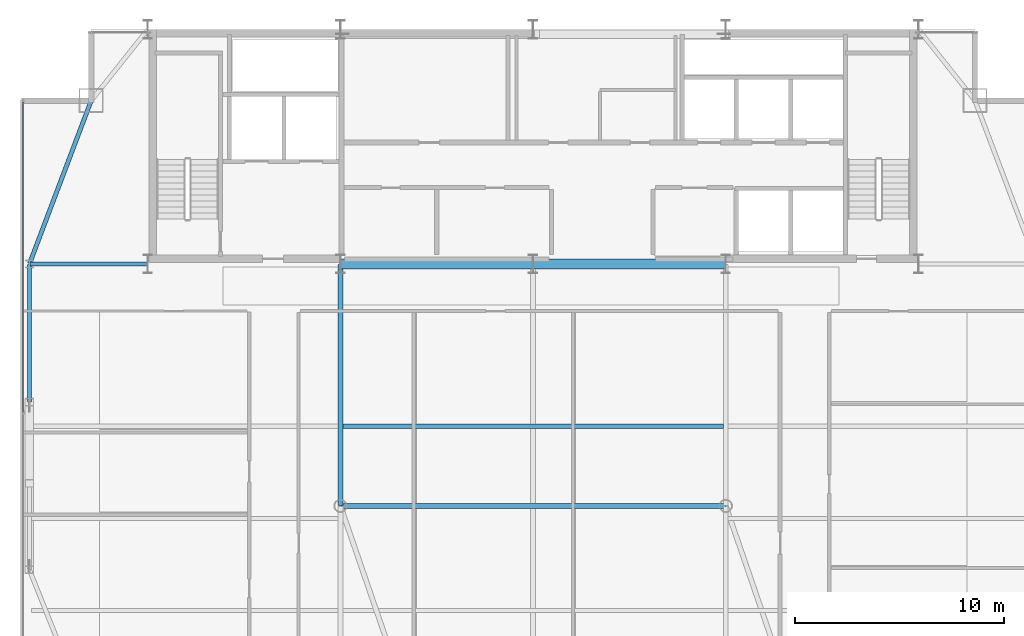
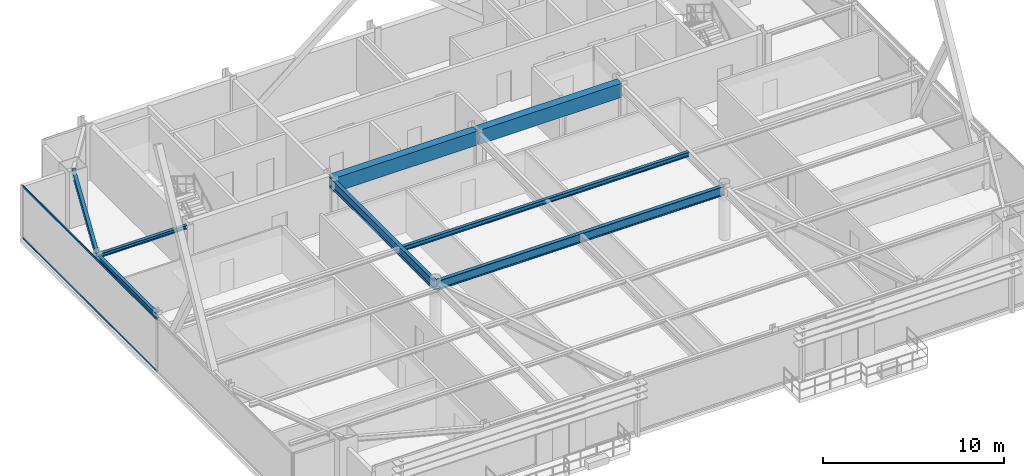
# One storey, part 11 of 31: 8 beams, 2 members, 1 element without a shape of its own.
"""IFC4 building model written with IfcOpenShell, lengths in metres."""

from ifc_helpers import new_model, si_unit, direction, frame, origin, origin_2d, place, context, subcontext, project, spatial, rectangle, hollow_rectangle, i_section, extrude, source, transform, mapped, material, layer, layer_set, material_profile, profile_set, type_object, type_shapes, element, aggregate, save


model = new_model("IFC4")

# Units and contexts
model_context = context("Model", 3, precision=1e-05, world=origin(), true_north=direction((0.0, 1.0)))
body_context = subcontext(model_context, "Body", "Model", "MODEL_VIEW")
ifc_project = project(units=[si_unit("LENGTHUNIT", "METRE"), si_unit("AREAUNIT", "SQUARE_METRE"), si_unit("VOLUMEUNIT", "CUBIC_METRE"), si_unit("PLANEANGLEUNIT", "RADIAN"), si_unit("MASSUNIT", "GRAM", prefix="KILO")], contexts=[model_context])

# Site, building, storey
site_placement = place(None, origin())
site = spatial("IfcSite", under=ifc_project, at=site_placement, CompositionType="ELEMENT")
building_placement = place(site_placement, origin())
building = spatial("IfcBuilding", under=site, at=building_placement, Name="Varnel Quay Broadcast Tower", CompositionType="ELEMENT")
storey_placement = place(building_placement, frame((0.0, 0.0, 215.0)))
storey = spatial("IfcBuildingStorey", under=building, at=storey_placement, Name="L53", CompositionType="ELEMENT", Elevation=215.0)

# Beams
ifc_material_1 = material(Name="Concrete CSA A23.3 C50/60", Category="concrete")
ifc_material_profile_1 = material_profile(ifc_material_1, rectangle(XDim=0.5, YDim=0.949951171875, at=origin_2d()), Name="RC500X950")
ifc_profile_set_1 = profile_set([ifc_material_profile_1], Name="Concrete CSA A23.3 C50/60")
beam_type_1 = type_object("IfcBeamType", Name="Beam_RC500X950", PredefinedType="BEAM", material=ifc_profile_set_1)
shared_shape_1 = source(origin(), body_context, "Body", "SweptSolid", [
    extrude(rectangle(XDim=0.5, YDim=0.949951171875, at=origin_2d()), origin(), (0.0, 0.0, 1.0), 9.159912109375),
])
type_shapes(beam_type_1, [shared_shape_1])
for number, where, z_axis, x_axis, name in (
    (1, (24.820068359375, 35.60009765625, 3.074951171875), (1.0, 0.0, 0.0), (0.0, 1.0, 0.0), "L53 Core Coupling Beam W"),
    (2, (34.02001953125, 35.60009765625, 3.074951171875), (1.0, 0.0, 0.0), (0.0, 1.0, 0.0), "L53 Core Coupling Beam E"),
):
    element("IfcBeam", number, at=place(storey_placement, frame(where, z_axis=z_axis, x_axis=x_axis)), inside=storey, type_object=beam_type_1, Name=name, PredefinedType="BEAM", context=body_context, shape_type="MappedRepresentation", body=[
        mapped(shared_shape_1, transform((0.0, 0.0, 0.0), x_axis=(1.0, 0.0, 0.0), y_axis=(0.0, 1.0, 0.0), z_axis=(0.0, 0.0, 1.0), scale=1.0)),
    ])
ifc_material_2 = material(Name="Structural Steel CSA G40.21 350W", Category="steel")
ifc_material_profile_2 = material_profile(ifc_material_2, i_section(OverallWidth=0.205078125, OverallDepth=0.35400390625, WebThickness=0.009521484375, FlangeThickness=0.016845703125, FilletRadius=0.012939453125, at=origin_2d()), Name="W360X79")
ifc_profile_set_2 = profile_set([ifc_material_profile_2], Name="Structural Steel CSA G40.21 350W")
beam_type_2 = type_object("IfcBeamType", Name="Beam_W360X79", PredefinedType="SPANDREL", material=ifc_profile_set_2)
shared_shape_2 = source(origin(), body_context, "Body", "SweptSolid", [
    extrude(i_section(OverallWidth=0.205078125, OverallDepth=0.35400390625, WebThickness=0.009521484375, FlangeThickness=0.016845703125, FilletRadius=0.012939453125, at=origin_2d()), origin(), (0.0, 0.0, 1.0), 6.56005859375),
])
beam_1_placement = place(storey_placement, frame((9.949951171875, 29.02001953125, 3.373046875), z_axis=(0.0, 1.0, 0.0), x_axis=(-1.0, 0.0, 0.0)))
element("IfcBeam", 3, at=beam_1_placement, inside=storey, type_object=beam_type_2, Name="L53 West Spandrel TC-W2-TC-W3", PredefinedType="SPANDREL", context=body_context, shape_type="MappedRepresentation", body=[
    mapped(shared_shape_2, transform((0.0, 0.0, 0.0), x_axis=(1.0, 0.0, 0.0), y_axis=(0.0, 1.0, 0.0), z_axis=(0.0, 0.0, 1.0), scale=1.0)),
])
shared_shape_3 = source(origin(), body_context, "Body", "SweptSolid", [
    extrude(i_section(OverallWidth=0.205078125, OverallDepth=0.35400390625, WebThickness=0.009521484375, FlangeThickness=0.016845703125, FilletRadius=0.012939453125, at=origin_2d()), origin(), (0.0, 0.0, 1.0), 8.29931640625),
])
type_shapes(beam_type_2, [shared_shape_2, shared_shape_3])
beam_2_placement = place(storey_placement, frame((9.95703125, 35.61865234375, 3.373046875), z_axis=(0.353739782058, 0.935343876117, 0.0), x_axis=(-0.935343876117, 0.353739782058, 0.0)))
element("IfcBeam", 4, at=beam_2_placement, inside=storey, type_object=beam_type_2, Name="L53 West Spandrel TC-W3-MC-NW", PredefinedType="SPANDREL", context=body_context, shape_type="MappedRepresentation", body=[
    mapped(shared_shape_3, transform((0.0, 0.0, 0.0), x_axis=(1.0, 0.0, 0.0), y_axis=(0.0, 1.0, 0.0), z_axis=(0.0, 0.0, 1.0), scale=1.0)),
])
ifc_material_profile_3 = material_profile(ifc_material_2, i_section(OverallWidth=0.22998046875, OverallDepth=0.616943359375, WebThickness=0.01318359375, FlangeThickness=0.022216796875, FilletRadius=0.01611328125, at=origin_2d()), Name="W610X140")
ifc_profile_set_3 = profile_set([ifc_material_profile_3], Name="Structural Steel CSA G40.21 350W")
beam_type_3 = type_object("IfcBeamType", Name="Girder_W610X140", PredefinedType="BEAM", material=ifc_profile_set_3)
shared_shape_4 = source(origin(), body_context, "Body", "SweptSolid", [
    extrude(i_section(OverallWidth=0.22998046875, OverallDepth=0.616943359375, WebThickness=0.01318359375, FlangeThickness=0.022216796875, FilletRadius=0.01611328125, at=origin_2d()), origin(), (0.0, 0.0, 1.0), 11.510009765625),
])
beam_3_placement = place(storey_placement, frame((24.800048828125, 24.070068359375, 3.241455078125), z_axis=(0.0, 1.0, 0.0), x_axis=(-1.0, 0.0, 0.0)))
element("IfcBeam", 5, at=beam_3_placement, inside=storey, type_object=beam_type_3, Name="L53 Primary Girder IC-01-CC-S2", PredefinedType="BEAM", context=body_context, shape_type="MappedRepresentation", body=[
    mapped(shared_shape_4, transform((0.0, 0.0, 0.0), x_axis=(1.0, 0.0, 0.0), y_axis=(0.0, 1.0, 0.0), z_axis=(0.0, 0.0, 1.0), scale=1.0)),
])
shared_shape_5 = source(origin(), body_context, "Body", "SweptSolid", [
    extrude(i_section(OverallWidth=0.22998046875, OverallDepth=0.616943359375, WebThickness=0.01318359375, FlangeThickness=0.022216796875, FilletRadius=0.01611328125, at=origin_2d()), origin(), (0.0, 0.0, 1.0), 18.35986328125),
])
type_shapes(beam_type_3, [shared_shape_4, shared_shape_5])
beam_4_placement = place(storey_placement, frame((24.820068359375, 24.050048828125, 3.241455078125), z_axis=(1.0, 0.0, 0.0), x_axis=(0.0, 1.0, 0.0)))
element("IfcBeam", 6, at=beam_4_placement, inside=storey, type_object=beam_type_3, Name="L53 Interior Spine Girder", PredefinedType="BEAM", context=body_context, shape_type="MappedRepresentation", body=[
    mapped(shared_shape_5, transform((0.0, 0.0, 0.0), x_axis=(1.0, 0.0, 0.0), y_axis=(0.0, 1.0, 0.0), z_axis=(0.0, 0.0, 1.0), scale=1.0)),
])
ifc_material_profile_4 = material_profile(ifc_material_2, i_section(OverallWidth=0.201904296875, OverallDepth=0.2470703125, WebThickness=0.00732421875, FlangeThickness=0.010986328125, FilletRadius=0.010986328125, at=origin_2d()), Name="W250X49")
ifc_profile_set_4 = profile_set([ifc_material_profile_4], Name="Structural Steel CSA G40.21 350W")
beam_type_4 = type_object("IfcBeamType", Name="Beam_W250X49", PredefinedType="JOIST", material=ifc_profile_set_4)
shared_shape_6 = source(origin(), body_context, "Body", "SweptSolid", [
    extrude(i_section(OverallWidth=0.201904296875, OverallDepth=0.2470703125, WebThickness=0.00732421875, FlangeThickness=0.010986328125, FilletRadius=0.010986328125, at=origin_2d()), origin(), (0.0, 0.0, 1.0), 5.610107421875),
])
type_shapes(beam_type_4, [shared_shape_6])
beam_5_placement = place(storey_placement, frame((9.969970703125, 35.60009765625, 3.426513671875), z_axis=(1.0, 0.0, 0.0), x_axis=(0.0, 1.0, 0.0)))
element("IfcBeam", 7, at=beam_5_placement, inside=storey, type_object=beam_type_4, Name="L53 West Core Tie Joist", PredefinedType="JOIST", context=body_context, shape_type="MappedRepresentation", body=[
    mapped(shared_shape_6, transform((0.0, 0.0, 0.0), x_axis=(1.0, 0.0, 0.0), y_axis=(0.0, 1.0, 0.0), z_axis=(0.0, 0.0, 1.0), scale=1.0)),
])
ifc_material_profile_5 = material_profile(ifc_material_2, i_section(OverallWidth=0.202880859375, OverallDepth=0.302978515625, WebThickness=0.007568359375, FlangeThickness=0.01318359375, FilletRadius=0.011962890625, at=origin_2d()), Name="W310X60")
ifc_profile_set_5 = profile_set([ifc_material_profile_5], Name="Structural Steel CSA G40.21 350W")
beam_type_5 = type_object("IfcBeamType", Name="Beam_W310X60", PredefinedType="JOIST", material=ifc_profile_set_5)
shared_shape_7 = source(origin(), body_context, "Body", "SweptSolid", [
    extrude(i_section(OverallWidth=0.202880859375, OverallDepth=0.302978515625, WebThickness=0.007568359375, FlangeThickness=0.01318359375, FilletRadius=0.011962890625, at=origin_2d()), origin(), (0.0, 0.0, 1.0), 18.18017578125),
])
type_shapes(beam_type_5, [shared_shape_7])
beam_6_placement = place(storey_placement, frame((24.909912109375, 27.85009765625, 3.3984375), z_axis=(1.0, 0.0, 0.0), x_axis=(0.0, 1.0, 0.0)))
element("IfcBeam", 8, at=beam_6_placement, inside=storey, type_object=beam_type_5, Name="L53 Central Floor Joist 4", PredefinedType="JOIST", context=body_context, shape_type="MappedRepresentation", body=[
    mapped(shared_shape_7, transform((0.0, 0.0, 0.0), x_axis=(1.0, 0.0, 0.0), y_axis=(0.0, 1.0, 0.0), z_axis=(0.0, 0.0, 1.0), scale=1.0)),
])

# Curtain wall, members
ifc_material_3 = material(Name="Anodised Bronze Aluminium 6063-T6", Category="aluminium")
ifc_layer = layer(ifc_material_3, 0.18994140625, Name="Anodised Bronze Aluminium 6063-T6")
ifc_layer_set = layer_set([ifc_layer], Name="Anodised Bronze Aluminium 6063-T6")
curtain_wall_type = type_object("IfcCurtainWallType", Name="CW_UpperTower", PredefinedType="NOTDEFINED", material=ifc_layer_set)
curtain_wall_placement = place(storey_placement, origin())
curtain_wall = element("IfcCurtainWall", 9, at=curtain_wall_placement, inside=storey, type_object=curtain_wall_type, Name="L53 West Unitised Curtain Wall", PredefinedType="NOTDEFINED")
ifc_material_profile_6 = material_profile(ifc_material_3, hollow_rectangle(XDim=0.06005859375, YDim=0.125, WallThickness=0.0029296875, at=origin_2d()), Name="ALU60X125X3")
ifc_profile_set_6 = profile_set([ifc_material_profile_6], Name="Anodised Bronze Aluminium 6063-T6")
member_type = type_object("IfcMemberType", Name="Tran_CWS-03", PredefinedType="USERDEFINED", material=ifc_profile_set_6)
shared_shape_8 = source(origin(), body_context, "Body", "SweptSolid", [
    extrude(hollow_rectangle(XDim=0.06005859375, YDim=0.125, WallThickness=0.0029296875, at=origin_2d()), origin(), (0.0, 0.0, 1.0), 14.802490234375),
])
type_shapes(member_type, [shared_shape_8])
member_1_placement = place(storey_placement, frame((9.64990234375, 28.532470703125, 0.030029296875), z_axis=(0.0, 1.0, 0.0), x_axis=(-1.0, 0.0, 0.0)))
member_1 = element("IfcMember", 10, at=member_1_placement, type_object=member_type, Name="CWS-03 transom 2.1", ObjectType="TRANSOM", PredefinedType="USERDEFINED", context=body_context, shape_type="MappedRepresentation", body=[
    mapped(shared_shape_8, transform((0.0, 0.0, 0.0), x_axis=(1.0, 0.0, 0.0), y_axis=(0.0, 1.0, 0.0), z_axis=(0.0, 0.0, 1.0), scale=1.0)),
])
member_2_placement = place(storey_placement, frame((9.64990234375, 28.532470703125, 3.52001953125), z_axis=(0.0, 1.0, 0.0), x_axis=(-1.0, 0.0, 0.0)))
member_2 = element("IfcMember", 11, at=member_2_placement, type_object=member_type, Name="CWS-03 transom 2.2", ObjectType="TRANSOM", PredefinedType="USERDEFINED", context=body_context, shape_type="MappedRepresentation", body=[
    mapped(shared_shape_8, transform((0.0, 0.0, 0.0), x_axis=(1.0, 0.0, 0.0), y_axis=(0.0, 1.0, 0.0), z_axis=(0.0, 0.0, 1.0), scale=1.0)),
])
aggregate(curtain_wall, [member_1, member_2])

save(model, "model.ifc")
